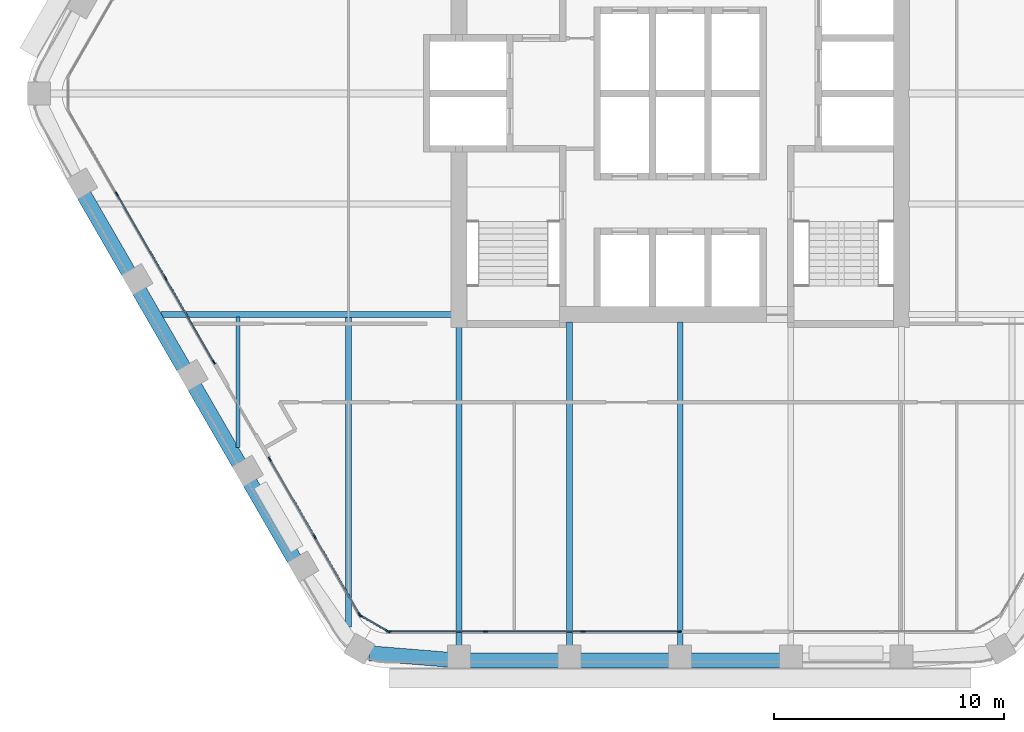
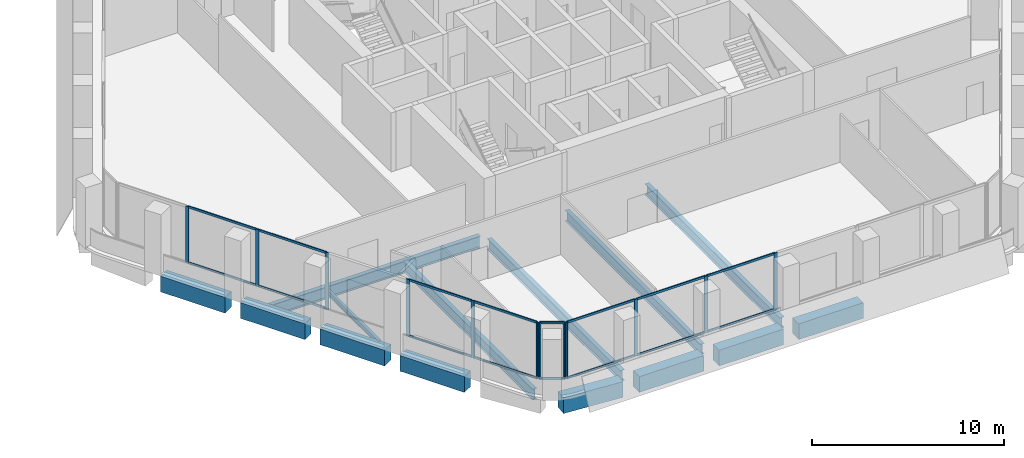
# One storey, part 2 of 16: 28 members, 14 beams, 4 elements without a shape of their own.
"""IFC4 building model written with IfcOpenShell, lengths in metres."""

from ifc_helpers import new_model, si_unit, direction, frame, origin, origin_2d, place, context, subcontext, project, spatial, rectangle, i_section, extrude, material, material_profile, profile_set, type_object, element, aggregate, save


model = new_model("IFC4")

# Units and contexts
model_context = context("Model", 3, precision=1e-05, world=origin(), true_north=direction((0.0, 1.0)))
body_context = subcontext(model_context, "Body", "Model", "MODEL_VIEW")
ifc_project = project(units=[si_unit("LENGTHUNIT", "METRE"), si_unit("AREAUNIT", "SQUARE_METRE"), si_unit("VOLUMEUNIT", "CUBIC_METRE"), si_unit("PLANEANGLEUNIT", "RADIAN"), si_unit("MASSUNIT", "GRAM", prefix="KILO")], contexts=[model_context])

# Site, building, storey
site_placement = place(None, origin())
site = spatial("IfcSite", under=ifc_project, at=site_placement, CompositionType="ELEMENT")
building_placement = place(site_placement, origin())
building = spatial("IfcBuilding", under=site, at=building_placement, Name="Kolab Exchange Tower", CompositionType="ELEMENT")
storey_placement = place(building_placement, frame((0.0, 0.0, 162.199951171875)))
storey = spatial("IfcBuildingStorey", under=building, at=storey_placement, Name="L33", CompositionType="ELEMENT", Elevation=162.199951171875)

# Beams
ifc_material_1 = material(Name="Steel S355", Category="steel")
ifc_material_profile_1 = material_profile(ifc_material_1, i_section(OverallWidth=0.1650390625, OverallDepth=0.31005859375, WebThickness=0.005859375, FlangeThickness=0.009765625, at=origin_2d()), Name="W310X39")
ifc_profile_set_1 = profile_set([ifc_material_profile_1], Name="Steel S355")
beam_type_1 = type_object("IfcBeamType", Name="FLOOR BEAM W310X39", PredefinedType="BEAM", material=ifc_profile_set_1)
beam_1_placement = place(storey_placement, frame((-19.199951171875, -15.36767578125, -0.304931640625), z_axis=(0.0, 1.0, 0.0), x_axis=(-1.0, 0.0, 0.0)))
element("IfcBeam", 1, at=beam_1_placement, inside=storey, type_object=beam_type_1, Name="beam/L33/fr/003", PredefinedType="BEAM", context=body_context, shape_type="SweptSolid", body=[
    extrude(i_section(OverallWidth=0.1650390625, OverallDepth=0.31005859375, WebThickness=0.005859375, FlangeThickness=0.009765625, at=origin_2d()), origin(), (0.0, 0.0, 1.0), 5.674072265625),
])
ifc_material_profile_2 = material_profile(ifc_material_1, i_section(OverallWidth=0.25390625, OverallDepth=0.68408203125, WebThickness=0.012451171875, FlangeThickness=0.018798828125, at=origin_2d()), Name="W690X140")
ifc_profile_set_2 = profile_set([ifc_material_profile_2], Name="Steel S355")
beam_type_2 = type_object("IfcBeamType", Name="FLOOR BEAM W690X140", PredefinedType="BEAM", material=ifc_profile_set_2)
beam_2_placement = place(storey_placement, frame((-14.39990234375, -23.15576171875, -0.491943359375), z_axis=(0.0, 1.0, 0.0), x_axis=(-1.0, 0.0, 0.0)))
element("IfcBeam", 2, at=beam_2_placement, inside=storey, type_object=beam_type_2, Name="beam/L33/fr/005", PredefinedType="BEAM", context=body_context, shape_type="SweptSolid", body=[
    extrude(i_section(OverallWidth=0.25390625, OverallDepth=0.68408203125, WebThickness=0.012451171875, FlangeThickness=0.018798828125, at=origin_2d()), origin(), (0.0, 0.0, 1.0), 13.462158203125),
])
beam_3_placement = place(storey_placement, frame((-9.60009765625, -23.9814453125, -0.491943359375), z_axis=(0.0, 1.0, 0.0), x_axis=(-1.0, 0.0, 0.0)))
element("IfcBeam", 3, at=beam_3_placement, inside=storey, type_object=beam_type_2, Name="beam/L33/fr/007", PredefinedType="BEAM", context=body_context, shape_type="SweptSolid", body=[
    extrude(i_section(OverallWidth=0.25390625, OverallDepth=0.68408203125, WebThickness=0.012451171875, FlangeThickness=0.018798828125, at=origin_2d()), origin(), (0.0, 0.0, 1.0), 13.871337890625),
])
for number, where, z_axis, x_axis, name in (
    (4, (-4.800048828125, -23.9814453125, -0.491943359375), (0.0, 1.0, 0.0), (-1.0, 0.0, 0.0), "beam/L33/fr/009"),
    (5, (0.0, -23.9814453125, -0.491943359375), (0.0, 1.0, 0.0), (-1.0, 0.0, 0.0), "beam/L33/fr/011"),
):
    element("IfcBeam", number, at=place(storey_placement, frame(where, z_axis=z_axis, x_axis=x_axis)), inside=storey, type_object=beam_type_2, Name=name, PredefinedType="BEAM", context=body_context, shape_type="SweptSolid", body=[
        extrude(i_section(OverallWidth=0.25390625, OverallDepth=0.68408203125, WebThickness=0.012451171875, FlangeThickness=0.018798828125, at=origin_2d()), origin(), (0.0, 0.0, 1.0), 14.071533203125),
    ])
ifc_material_profile_3 = material_profile(ifc_material_1, i_section(OverallWidth=0.26708984375, OverallDepth=0.761962890625, WebThickness=0.014404296875, FlangeThickness=0.021484375, at=origin_2d()), Name="W760X173")
ifc_profile_set_3 = profile_set([ifc_material_profile_3], Name="Steel S355")
beam_type_3 = type_object("IfcBeamType", Name="FLOOR GIRDER W760X173", PredefinedType="BEAM", material=ifc_profile_set_3)
beam_4_placement = place(storey_placement, frame((-22.546875, -9.60009765625, -0.531005859375), z_axis=(1.0, 0.0, 0.0), x_axis=(0.0, 1.0, 0.0)))
element("IfcBeam", 6, at=beam_4_placement, inside=storey, type_object=beam_type_3, Name="beam/L33/gd/000", PredefinedType="BEAM", context=body_context, shape_type="SweptSolid", body=[
    extrude(i_section(OverallWidth=0.26708984375, OverallDepth=0.761962890625, WebThickness=0.014404296875, FlangeThickness=0.021484375, at=origin_2d()), origin(), (0.0, 0.0, 1.0), 12.636962890625),
])
ifc_material_2 = material(Name="Concrete C60/75", Category="concrete")
ifc_material_profile_4 = material_profile(ifc_material_2, rectangle(XDim=0.64990234375, YDim=1.0, at=origin_2d()), Name="RC650X1000")
ifc_profile_set_4 = profile_set([ifc_material_profile_4], Name="Concrete C60/75")
beam_type_4 = type_object("IfcBeamType", Name="SPANDREL BEAM 650X1000 C60/75", PredefinedType="BEAM", material=ifc_profile_set_4)
for number, where, z_axis, x_axis, name in (
    (7, (4.340087890625, -24.616455078125, -0.64990234375), (-1.0, 0.0, 0.0), (0.0, -1.0, 0.0), "beam/L33/sp/F4-03"),
    (8, (-0.4599609375, -24.616455078125, -0.64990234375), (-1.0, 0.0, 0.0), (0.0, -1.0, 0.0), "beam/L33/sp/F4-04"),
):
    element("IfcBeam", number, at=place(storey_placement, frame(where, z_axis=z_axis, x_axis=x_axis)), inside=storey, type_object=beam_type_4, Name=name, PredefinedType="BEAM", context=body_context, shape_type="SweptSolid", body=[
        extrude(rectangle(XDim=0.64990234375, YDim=1.0, at=origin_2d()), origin(), (0.0, 0.0, 1.0), 3.880126953125),
    ])
beam_5_placement = place(storey_placement, frame((-5.260009765625, -24.616455078125, -0.64990234375), z_axis=(-1.0, 0.0, 0.0), x_axis=(0.0, -1.0, 0.0)))
element("IfcBeam", 9, at=beam_5_placement, inside=storey, type_object=beam_type_4, Name="beam/L33/sp/F4-05", PredefinedType="BEAM", context=body_context, shape_type="SweptSolid", body=[
    extrude(rectangle(XDim=0.64990234375, YDim=1.0, at=origin_2d()), origin(), (0.0, 0.0, 1.0), 3.8798828125),
])
beam_6_placement = place(storey_placement, frame((-10.06005859375, -24.5791015625, -0.64990234375), z_axis=(-0.996708497182, 0.081068931445, 0.0), x_axis=(-0.081068931445, -0.996708497182, 0.0)))
element("IfcBeam", 10, at=beam_6_placement, inside=storey, type_object=beam_type_4, Name="beam/L33/sp/F4-06", PredefinedType="BEAM", context=body_context, shape_type="SweptSolid", body=[
    extrude(rectangle(XDim=0.64990234375, YDim=1.0, at=origin_2d()), origin(), (0.0, 0.0, 1.0), 3.445068359375),
])
beam_7_placement = place(storey_placement, frame((-16.74853515625, -20.2236328125, -0.64990234375), z_axis=(-0.499996613652, 0.866027358884, 0.0), x_axis=(-0.866027358884, -0.499996613652, 0.0)))
element("IfcBeam", 11, at=beam_7_placement, inside=storey, type_object=beam_type_4, Name="beam/L33/sp/F5-02", PredefinedType="BEAM", context=body_context, shape_type="SweptSolid", body=[
    extrude(rectangle(XDim=0.64990234375, YDim=1.0, at=origin_2d()), origin(), (0.0, 0.0, 1.0), 3.8798828125),
])
beam_8_placement = place(storey_placement, frame((-19.1484375, -16.06689453125, -0.64990234375), z_axis=(-0.50001655835, 0.866015843605, 0.0), x_axis=(-0.866015843605, -0.50001655835, 0.0)))
element("IfcBeam", 12, at=beam_8_placement, inside=storey, type_object=beam_type_4, Name="beam/L33/sp/F5-03", PredefinedType="BEAM", context=body_context, shape_type="SweptSolid", body=[
    extrude(rectangle(XDim=0.64990234375, YDim=1.0, at=origin_2d()), origin(), (0.0, 0.0, 1.0), 3.880126953125),
])
for number, where, z_axis, x_axis, name in (
    (13, (-21.548583984375, -11.909912109375, -0.64990234375), (-0.499996613652, 0.866027358884, 0.0), (-0.866027358884, -0.499996613652, 0.0), "beam/L33/sp/F5-04"),
    (14, (-23.948486328125, -7.7529296875, -0.64990234375), (-0.499996613652, 0.866027358884, 0.0), (-0.866027358884, -0.499996613652, 0.0), "beam/L33/sp/F5-05"),
):
    element("IfcBeam", number, at=place(storey_placement, frame(where, z_axis=z_axis, x_axis=x_axis)), inside=storey, type_object=beam_type_4, Name=name, PredefinedType="BEAM", context=body_context, shape_type="SweptSolid", body=[
        extrude(rectangle(XDim=0.64990234375, YDim=1.0, at=origin_2d()), origin(), (0.0, 0.0, 1.0), 3.8798828125),
    ])

# Curtain wall, members
ifc_material_3 = material(Name="Aluminium EN AW-6063 T6", Category="aluminium")
curtain_wall_type = type_object("IfcCurtainWallType", Name="UNITISED UPPER MID ZONE CURTAIN WALL", PredefinedType="NOTDEFINED", material=ifc_material_3)
curtain_wall_1_placement = place(storey_placement, origin())
curtain_wall_1 = element("IfcCurtainWall", 15, at=curtain_wall_1_placement, inside=storey, type_object=curtain_wall_type, Name="cw/L33/F4-2", PredefinedType="NOTDEFINED")
ifc_material_profile_5 = material_profile(ifc_material_3, rectangle(XDim=0.06005859375, YDim=0.199951171875, at=origin_2d()), Name="RECT 60X200")
ifc_profile_set_5 = profile_set([ifc_material_profile_5], Name="Aluminium EN AW-6063 T6")
member_type_1 = type_object("IfcMemberType", Name="UNITISED UPPER MID ZONE MULLION 60 X 200", PredefinedType="MULLION", material=ifc_profile_set_5)
member_1_placement = place(storey_placement, frame((-0.030029296875, -23.361572265625, 0.0), z_axis=(0.0, 0.0, 1.0), x_axis=(0.0, -1.0, 0.0)))
member_1 = element("IfcMember", 16, at=member_1_placement, type_object=member_type_1, Name="CW3 mullion 1", PredefinedType="MULLION", context=body_context, shape_type="SweptSolid", body=[
    extrude(rectangle(XDim=0.06005859375, YDim=0.199951171875, at=origin_2d()), origin(), (0.0, 0.0, 1.0), 3.60009765625),
])
member_2_placement = place(storey_placement, frame((-4.22265625, -23.361572265625, 0.0), z_axis=(0.0, 0.0, 1.0), x_axis=(0.0, -1.0, 0.0)))
member_2 = element("IfcMember", 17, at=member_2_placement, type_object=member_type_1, Name="CW3 mullion 2", PredefinedType="MULLION", context=body_context, shape_type="SweptSolid", body=[
    extrude(rectangle(XDim=0.06005859375, YDim=0.199951171875, at=origin_2d()), origin(), (0.0, 0.0, 1.0), 3.60009765625),
])
member_3_placement = place(storey_placement, frame((-8.4453125, -23.361572265625, 0.0), z_axis=(0.0, 0.0, 1.0), x_axis=(0.0, -1.0, 0.0)))
member_3 = element("IfcMember", 18, at=member_3_placement, type_object=member_type_1, Name="CW3 mullion 3", PredefinedType="MULLION", context=body_context, shape_type="SweptSolid", body=[
    extrude(rectangle(XDim=0.06005859375, YDim=0.199951171875, at=origin_2d()), origin(), (0.0, 0.0, 1.0), 3.60009765625),
])
member_4_placement = place(storey_placement, frame((-12.637939453125, -23.361572265625, 0.0), z_axis=(0.0, 0.0, 1.0), x_axis=(0.0, -1.0, 0.0)))
member_4 = element("IfcMember", 19, at=member_4_placement, type_object=member_type_1, Name="CW3 mullion 4", PredefinedType="MULLION", context=body_context, shape_type="SweptSolid", body=[
    extrude(rectangle(XDim=0.06005859375, YDim=0.199951171875, at=origin_2d()), origin(), (0.0, 0.0, 1.0), 3.60009765625),
])

curtain_wall_2_placement = place(storey_placement, origin())
curtain_wall_2 = element("IfcCurtainWall", 20, at=curtain_wall_2_placement, inside=storey, type_object=curtain_wall_type, Name="cw/L33/F5-1", PredefinedType="NOTDEFINED")
member_5_placement = place(storey_placement, frame((-13.91259765625, -22.62548828125, 0.0), z_axis=(0.0, 0.0, 1.0), x_axis=(-0.866025385493, -0.500000031681, 0.0)))
member_5 = element("IfcMember", 21, at=member_5_placement, type_object=member_type_1, Name="CW3 mullion 1", PredefinedType="MULLION", context=body_context, shape_type="SweptSolid", body=[
    extrude(rectangle(XDim=0.06005859375, YDim=0.199951171875, at=origin_2d()), origin(), (0.0, 0.0, 1.0), 3.60009765625),
])
member_6_placement = place(storey_placement, frame((-15.86474609375, -19.24462890625, 0.0), z_axis=(0.0, 0.0, 1.0), x_axis=(-0.866025385493, -0.500000031681, 0.0)))
member_6 = element("IfcMember", 22, at=member_6_placement, type_object=member_type_1, Name="CW3 mullion 2", PredefinedType="MULLION", context=body_context, shape_type="SweptSolid", body=[
    extrude(rectangle(XDim=0.06005859375, YDim=0.199951171875, at=origin_2d()), origin(), (0.0, 0.0, 1.0), 3.60009765625),
])
member_7_placement = place(storey_placement, frame((-17.816650390625, -15.86376953125, 0.0), z_axis=(0.0, 0.0, 1.0), x_axis=(-0.866025385493, -0.500000031681, 0.0)))
member_7 = element("IfcMember", 23, at=member_7_placement, type_object=member_type_1, Name="CW3 mullion 3", PredefinedType="MULLION", context=body_context, shape_type="SweptSolid", body=[
    extrude(rectangle(XDim=0.06005859375, YDim=0.199951171875, at=origin_2d()), origin(), (0.0, 0.0, 1.0), 3.60009765625),
])

curtain_wall_3_placement = place(storey_placement, origin())
curtain_wall_3 = element("IfcCurtainWall", 24, at=curtain_wall_3_placement, inside=storey, type_object=curtain_wall_type, Name="cw/L33/F5-2", PredefinedType="NOTDEFINED")
member_8_placement = place(storey_placement, frame((-20.24658203125, -11.65478515625, 0.0), z_axis=(0.0, 0.0, 1.0), x_axis=(-0.866025427826, -0.499999958358, 0.0)))
member_8 = element("IfcMember", 25, at=member_8_placement, type_object=member_type_1, Name="CW3 mullion 1", PredefinedType="MULLION", context=body_context, shape_type="SweptSolid", body=[
    extrude(rectangle(XDim=0.06005859375, YDim=0.199951171875, at=origin_2d()), origin(), (0.0, 0.0, 1.0), 3.60009765625),
])
member_9_placement = place(storey_placement, frame((-22.343017578125, -8.02392578125, 0.0), z_axis=(0.0, 0.0, 1.0), x_axis=(-0.866025427826, -0.499999958358, 0.0)))
member_9 = element("IfcMember", 26, at=member_9_placement, type_object=member_type_1, Name="CW3 mullion 2", PredefinedType="MULLION", context=body_context, shape_type="SweptSolid", body=[
    extrude(rectangle(XDim=0.06005859375, YDim=0.199951171875, at=origin_2d()), origin(), (0.0, 0.0, 1.0), 3.60009765625),
])
member_10_placement = place(storey_placement, frame((-24.454345703125, -4.366943359375, 0.0), z_axis=(0.0, 0.0, 1.0), x_axis=(-0.866025427826, -0.499999958358, 0.0)))
member_10 = element("IfcMember", 27, at=member_10_placement, type_object=member_type_1, Name="CW3 mullion 3", PredefinedType="MULLION", context=body_context, shape_type="SweptSolid", body=[
    extrude(rectangle(XDim=0.06005859375, YDim=0.199951171875, at=origin_2d()), origin(), (0.0, 0.0, 1.0), 3.60009765625),
])

curtain_wall_4_placement = place(storey_placement, origin())
curtain_wall_4 = element("IfcCurtainWall", 28, at=curtain_wall_4_placement, inside=storey, type_object=curtain_wall_type, Name="cw/L33/F4F5-corner", PredefinedType="NOTDEFINED")
member_11_placement = place(storey_placement, frame((-12.69384765625, -23.346435546875, 0.0), z_axis=(0.0, 0.0, 1.0), x_axis=(-0.50000002237, -0.866025390869, 0.0)))
member_11 = element("IfcMember", 29, at=member_11_placement, type_object=member_type_1, Name="CW3 mullion 1", PredefinedType="MULLION", context=body_context, shape_type="SweptSolid", body=[
    extrude(rectangle(XDim=0.06005859375, YDim=0.199951171875, at=origin_2d()), origin(), (0.0, 0.0, 1.0), 3.60009765625),
])
member_12_placement = place(storey_placement, frame((-13.871826171875, -22.66650390625, 0.0), z_axis=(0.0, 0.0, 1.0), x_axis=(-0.50000002237, -0.866025390869, 0.0)))
member_12 = element("IfcMember", 30, at=member_12_placement, type_object=member_type_1, Name="CW3 mullion 2", PredefinedType="MULLION", context=body_context, shape_type="SweptSolid", body=[
    extrude(rectangle(XDim=0.06005859375, YDim=0.199951171875, at=origin_2d()), origin(), (0.0, 0.0, 1.0), 3.60009765625),
])

# Member
ifc_material_profile_6 = material_profile(ifc_material_3, rectangle(XDim=0.06005859375, YDim=0.139892578125, at=origin_2d()), Name="RECT 60X140")
ifc_profile_set_6 = profile_set([ifc_material_profile_6], Name="Aluminium EN AW-6063 T6")
member_type_2 = type_object("IfcMemberType", Name="UNITISED UPPER MID ZONE TRANSOM 60 X 140", PredefinedType="USERDEFINED", material=ifc_profile_set_6)
member_13_placement = place(storey_placement, frame((-0.06005859375, -23.361572265625, 0.030029296875), z_axis=(-1.0, 0.0, 0.0), x_axis=(0.0, -1.0, 0.0)))
member_13 = element("IfcMember", 31, at=member_13_placement, type_object=member_type_2, Name="CW3 transom 1.1", ObjectType="TRANSOM", PredefinedType="USERDEFINED", context=body_context, shape_type="SweptSolid", body=[
    extrude(rectangle(XDim=0.06005859375, YDim=0.139892578125, at=origin_2d()), origin(), (0.0, 0.0, 1.0), 4.132568359375),
])

member_14_placement = place(storey_placement, frame((-0.06005859375, -23.361572265625, 3.570068359375), z_axis=(-1.0, 0.0, 0.0), x_axis=(0.0, -1.0, 0.0)))
member_14 = element("IfcMember", 32, at=member_14_placement, type_object=member_type_2, Name="CW3 transom 1.2", ObjectType="TRANSOM", PredefinedType="USERDEFINED", context=body_context, shape_type="SweptSolid", body=[
    extrude(rectangle(XDim=0.06005859375, YDim=0.139892578125, at=origin_2d()), origin(), (0.0, 0.0, 1.0), 4.132568359375),
])

member_15_placement = place(storey_placement, frame((-4.252685546875, -23.361572265625, 0.030029296875), z_axis=(-1.0, 0.0, 0.0), x_axis=(0.0, -1.0, 0.0)))
member_15 = element("IfcMember", 33, at=member_15_placement, type_object=member_type_2, Name="CW3 transom 2.1", ObjectType="TRANSOM", PredefinedType="USERDEFINED", context=body_context, shape_type="SweptSolid", body=[
    extrude(rectangle(XDim=0.06005859375, YDim=0.139892578125, at=origin_2d()), origin(), (0.0, 0.0, 1.0), 4.16259765625),
])

member_16_placement = place(storey_placement, frame((-4.252685546875, -23.361572265625, 3.570068359375), z_axis=(-1.0, 0.0, 0.0), x_axis=(0.0, -1.0, 0.0)))
member_16 = element("IfcMember", 34, at=member_16_placement, type_object=member_type_2, Name="CW3 transom 2.2", ObjectType="TRANSOM", PredefinedType="USERDEFINED", context=body_context, shape_type="SweptSolid", body=[
    extrude(rectangle(XDim=0.06005859375, YDim=0.139892578125, at=origin_2d()), origin(), (0.0, 0.0, 1.0), 4.16259765625),
])

member_17_placement = place(storey_placement, frame((-8.475341796875, -23.361572265625, 0.030029296875), z_axis=(-1.0, 0.0, 0.0), x_axis=(0.0, -1.0, 0.0)))
member_17 = element("IfcMember", 35, at=member_17_placement, type_object=member_type_2, Name="CW3 transom 3.1", ObjectType="TRANSOM", PredefinedType="USERDEFINED", context=body_context, shape_type="SweptSolid", body=[
    extrude(rectangle(XDim=0.06005859375, YDim=0.139892578125, at=origin_2d()), origin(), (0.0, 0.0, 1.0), 4.132568359375),
])

member_18_placement = place(storey_placement, frame((-8.475341796875, -23.361572265625, 3.570068359375), z_axis=(-1.0, 0.0, 0.0), x_axis=(0.0, -1.0, 0.0)))
member_18 = element("IfcMember", 36, at=member_18_placement, type_object=member_type_2, Name="CW3 transom 3.2", ObjectType="TRANSOM", PredefinedType="USERDEFINED", context=body_context, shape_type="SweptSolid", body=[
    extrude(rectangle(XDim=0.06005859375, YDim=0.139892578125, at=origin_2d()), origin(), (0.0, 0.0, 1.0), 4.132568359375),
])

aggregate(curtain_wall_1, [member_1, member_2, member_3, member_4, member_13, member_14, member_15, member_16, member_17, member_18])

member_19_placement = place(storey_placement, frame((-13.927734375, -22.599609375, 0.030029296875), z_axis=(-0.499964356602, 0.866045981532, 0.0), x_axis=(-0.866045981532, -0.499964356602, 0.0)))
member_19 = element("IfcMember", 37, at=member_19_placement, type_object=member_type_2, Name="CW3 transom 1.1", ObjectType="TRANSOM", PredefinedType="USERDEFINED", context=body_context, shape_type="SweptSolid", body=[
    extrude(rectangle(XDim=0.06005859375, YDim=0.139892578125, at=origin_2d()), origin(), (0.0, 0.0, 1.0), 3.843994140625),
])

member_20_placement = place(storey_placement, frame((-13.927734375, -22.599609375, 3.570068359375), z_axis=(-0.499964356602, 0.866045981532, 0.0), x_axis=(-0.866045981532, -0.499964356602, 0.0)))
member_20 = element("IfcMember", 38, at=member_20_placement, type_object=member_type_2, Name="CW3 transom 1.2", ObjectType="TRANSOM", PredefinedType="USERDEFINED", context=body_context, shape_type="SweptSolid", body=[
    extrude(rectangle(XDim=0.06005859375, YDim=0.139892578125, at=origin_2d()), origin(), (0.0, 0.0, 1.0), 3.843994140625),
])

member_21_placement = place(storey_placement, frame((-15.879638671875, -19.21875, 0.030029296875), z_axis=(-0.500011990396, 0.866018481016, 0.0), x_axis=(-0.866018481016, -0.500011990396, 0.0)))
member_21 = element("IfcMember", 39, at=member_21_placement, type_object=member_type_2, Name="CW3 transom 2.1", ObjectType="TRANSOM", PredefinedType="USERDEFINED", context=body_context, shape_type="SweptSolid", body=[
    extrude(rectangle(XDim=0.06005859375, YDim=0.139892578125, at=origin_2d()), origin(), (0.0, 0.0, 1.0), 3.84423828125),
])

member_22_placement = place(storey_placement, frame((-15.879638671875, -19.21875, 3.570068359375), z_axis=(-0.500011990396, 0.866018481016, 0.0), x_axis=(-0.866018481016, -0.500011990396, 0.0)))
member_22 = element("IfcMember", 40, at=member_22_placement, type_object=member_type_2, Name="CW3 transom 2.2", ObjectType="TRANSOM", PredefinedType="USERDEFINED", context=body_context, shape_type="SweptSolid", body=[
    extrude(rectangle(XDim=0.06005859375, YDim=0.139892578125, at=origin_2d()), origin(), (0.0, 0.0, 1.0), 3.84423828125),
])

aggregate(curtain_wall_2, [member_5, member_6, member_7, member_19, member_20, member_21, member_22])

member_23_placement = place(storey_placement, frame((-20.26171875, -11.62890625, 0.030029296875), z_axis=(-0.500001996123, 0.866024251319, 0.0), x_axis=(-0.866024251319, -0.500001996123, 0.0)))
member_23 = element("IfcMember", 41, at=member_23_placement, type_object=member_type_2, Name="CW3 transom 1.1", ObjectType="TRANSOM", PredefinedType="USERDEFINED", context=body_context, shape_type="SweptSolid", body=[
    extrude(rectangle(XDim=0.06005859375, YDim=0.139892578125, at=origin_2d()), origin(), (0.0, 0.0, 1.0), 4.1328125),
])

member_24_placement = place(storey_placement, frame((-20.26171875, -11.62890625, 3.570068359375), z_axis=(-0.500001996123, 0.866024251319, 0.0), x_axis=(-0.866024251319, -0.500001996123, 0.0)))
member_24 = element("IfcMember", 42, at=member_24_placement, type_object=member_type_2, Name="CW3 transom 1.2", ObjectType="TRANSOM", PredefinedType="USERDEFINED", context=body_context, shape_type="SweptSolid", body=[
    extrude(rectangle(XDim=0.06005859375, YDim=0.139892578125, at=origin_2d()), origin(), (0.0, 0.0, 1.0), 4.1328125),
])

member_25_placement = place(storey_placement, frame((-22.35791015625, -7.997802734375, 0.030029296875), z_axis=(-0.49999322259, 0.866029316688, 0.0), x_axis=(-0.866029316688, -0.49999322259, 0.0)))
member_25 = element("IfcMember", 43, at=member_25_placement, type_object=member_type_2, Name="CW3 transom 2.1", ObjectType="TRANSOM", PredefinedType="USERDEFINED", context=body_context, shape_type="SweptSolid", body=[
    extrude(rectangle(XDim=0.06005859375, YDim=0.139892578125, at=origin_2d()), origin(), (0.0, 0.0, 1.0), 4.16259765625),
])

member_26_placement = place(storey_placement, frame((-22.35791015625, -7.997802734375, 3.570068359375), z_axis=(-0.49999322259, 0.866029316688, 0.0), x_axis=(-0.866029316688, -0.49999322259, 0.0)))
member_26 = element("IfcMember", 44, at=member_26_placement, type_object=member_type_2, Name="CW3 transom 2.2", ObjectType="TRANSOM", PredefinedType="USERDEFINED", context=body_context, shape_type="SweptSolid", body=[
    extrude(rectangle(XDim=0.06005859375, YDim=0.139892578125, at=origin_2d()), origin(), (0.0, 0.0, 1.0), 4.16259765625),
])

aggregate(curtain_wall_3, [member_8, member_9, member_10, member_23, member_24, member_25, member_26])

member_27_placement = place(storey_placement, frame((-12.719970703125, -23.33154296875, 0.030029296875), z_axis=(-0.86603858612, 0.49997716683, 0.0), x_axis=(-0.49997716683, -0.86603858612, 0.0)))
member_27 = element("IfcMember", 45, at=member_27_placement, type_object=member_type_2, Name="CW3 transom 1.1", ObjectType="TRANSOM", PredefinedType="USERDEFINED", context=body_context, shape_type="SweptSolid", body=[
    extrude(rectangle(XDim=0.06005859375, YDim=0.139892578125, at=origin_2d()), origin(), (0.0, 0.0, 1.0), 1.2998046875),
])

member_28_placement = place(storey_placement, frame((-12.719970703125, -23.33154296875, 3.570068359375), z_axis=(-0.86603858612, 0.49997716683, 0.0), x_axis=(-0.49997716683, -0.86603858612, 0.0)))
member_28 = element("IfcMember", 46, at=member_28_placement, type_object=member_type_2, Name="CW3 transom 1.2", ObjectType="TRANSOM", PredefinedType="USERDEFINED", context=body_context, shape_type="SweptSolid", body=[
    extrude(rectangle(XDim=0.06005859375, YDim=0.139892578125, at=origin_2d()), origin(), (0.0, 0.0, 1.0), 1.2998046875),
])

aggregate(curtain_wall_4, [member_11, member_12, member_27, member_28])

save(model, "model.ifc")
